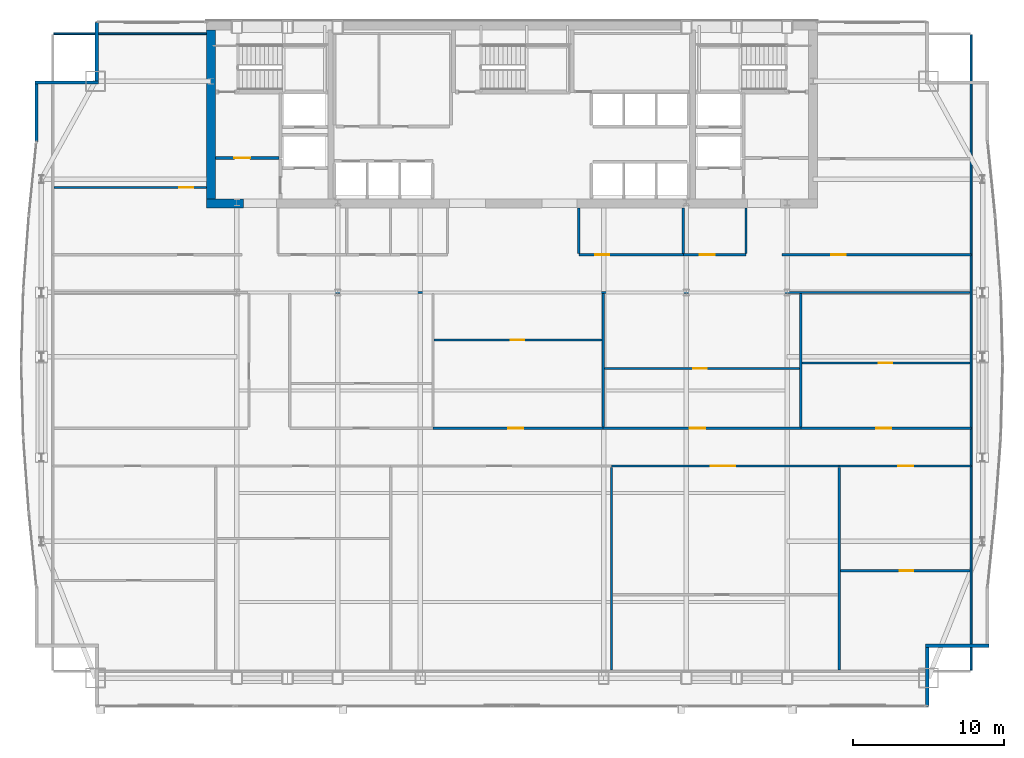
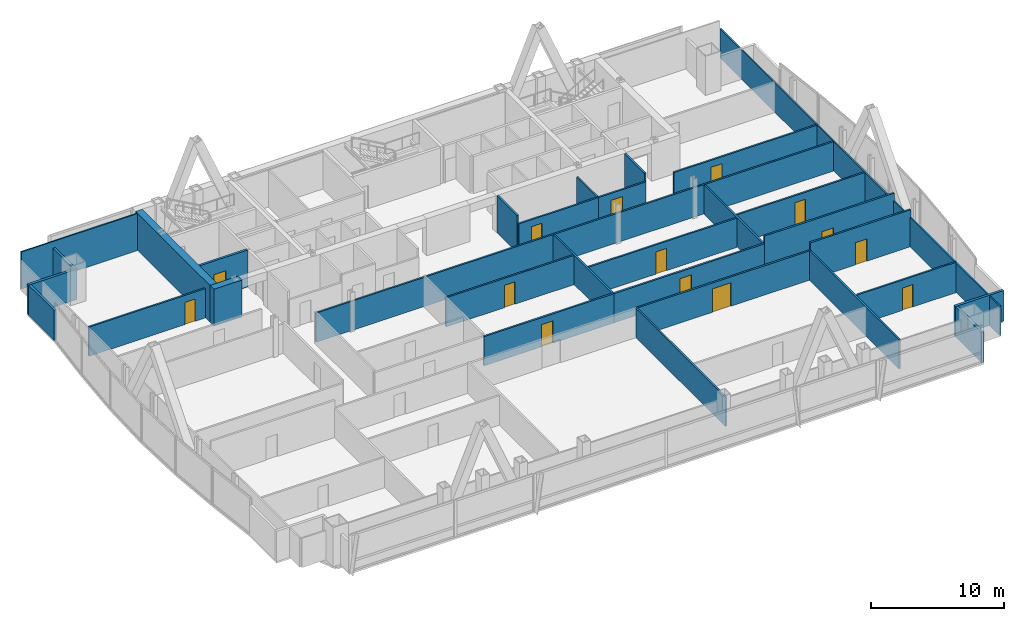
# One storey, part 25 of 29: 31 walls, 14 doors, 14 openings.
"""IFC4 building model written with IfcOpenShell, lengths in metres."""

from ifc_helpers import new_model, si_unit, direction, frame, frame_2d, origin, place, context, subcontext, project, spatial, rectangle, extrude, material, layer, layer_set, type_object, element, fill, save


model = new_model("IFC4")

# Units and contexts
model_context = context("Model", 3, precision=1e-05, world=origin(), true_north=direction((0.0, 1.0)))
body_context = subcontext(model_context, "Body", "Model", "MODEL_VIEW")
ifc_project = project(units=[si_unit("LENGTHUNIT", "METRE"), si_unit("AREAUNIT", "SQUARE_METRE"), si_unit("VOLUMEUNIT", "CUBIC_METRE"), si_unit("PLANEANGLEUNIT", "RADIAN"), si_unit("MASSUNIT", "GRAM", prefix="KILO")], contexts=[model_context])

# Site, building, storey
site_placement = place(None, origin())
site = spatial("IfcSite", under=ifc_project, at=site_placement, CompositionType="ELEMENT")
building_placement = place(site_placement, origin())
building = spatial("IfcBuilding", under=site, at=building_placement, Name="Khoronbel Lancet Exchange", CompositionType="ELEMENT")
storey_placement = place(building_placement, frame((0.0, 0.0, 180.60009765625)))
storey = spatial("IfcBuildingStorey", under=building, at=storey_placement, Name="L45", CompositionType="ELEMENT", Elevation=180.60009765625)

# Walls
ifc_material_1 = material(Name="Concrete C60/75", Category="concrete")
ifc_layer_1 = layer(ifc_material_1, 0.60009765625, Name="Concrete C60/75")
ifc_layer_set_1 = layer_set([ifc_layer_1], Name="Concrete C60/75")
wall_type_1 = type_object("IfcWallType", Name="WL-CW3", PredefinedType="SHEAR", material=ifc_layer_set_1)
wall_1_placement = place(storey_placement, frame((16.5, 41.89990234375, 0.0), z_axis=(0.0, 0.0, 1.0), x_axis=(0.0, 1.0, 0.0)))
element("IfcWall", 1, at=wall_1_placement, inside=storey, type_object=wall_type_1, Name="Level L45 rear core west shear wall", PredefinedType="SHEAR", context=body_context, shape_type="SweptSolid", body=[
    extrude(rectangle(XDim=11.2001953125, YDim=0.60009765625, at=frame_2d((5.60009765625, 0.0))), origin(), (0.0, 0.0, 1.0), 3.39990234375),
])
wall_2_placement = place(storey_placement, frame((18.64990234375, 41.60009765625, 0.0), z_axis=(0.0, 0.0, 1.0), x_axis=(-1.0, 0.0, 0.0)))
element("IfcWall", 2, at=wall_2_placement, inside=storey, type_object=wall_type_1, Name="Level L45 rear core south shear wall pier P1", PredefinedType="SHEAR", context=body_context, shape_type="SweptSolid", body=[
    extrude(rectangle(XDim=2.449951171875, YDim=0.60009765625, at=frame_2d((1.22509765625, 0.0))), origin(), (0.0, 0.0, 1.0), 3.39990234375),
])
ifc_material_2 = material(Name="Precast concrete C40/50", Category="concrete")
ifc_layer_2 = layer(ifc_material_2, 0.25, Name="Precast concrete C40/50")
ifc_layer_set_2 = layer_set([ifc_layer_2], Name="Precast concrete C40/50")
wall_type_2 = type_object("IfcWallType", Name="WL-EXT250", PredefinedType="SOLIDWALL", material=ifc_layer_set_2)
wall_3_placement = place(storey_placement, frame((4.93994140625, 45.67529296875, 0.0), z_axis=(0.0, 0.0, 1.0), x_axis=(0.0, 1.0, 0.0)))
element("IfcWall", 3, at=wall_3_placement, inside=storey, type_object=wall_type_2, Name="Level L45 notched-corner limestone pier 10", PredefinedType="SOLIDWALL", context=body_context, shape_type="SweptSolid", body=[
    extrude(rectangle(XDim=3.82470703125, YDim=0.219970703125, at=frame_2d((1.912353515625, 0.0))), origin(), (0.0, 0.0, 1.0), 2.789794921875),
])
wall_4_placement = place(storey_placement, frame((4.830078125, 49.610107421875, 0.0), z_axis=(0.0, 0.0, 1.0), x_axis=(1.0, 0.0, 0.0)))
element("IfcWall", 4, at=wall_4_placement, inside=storey, type_object=wall_type_2, Name="Level L45 notched-corner limestone pier 11", PredefinedType="SOLIDWALL", context=body_context, shape_type="SweptSolid", body=[
    extrude(rectangle(XDim=4.219970703125, YDim=0.219970703125, at=frame_2d((2.10986328125, 0.0))), origin(), (0.0, 0.0, 1.0), 2.789794921875),
])
wall_5_placement = place(storey_placement, frame((8.93994140625, 49.719970703125, 0.0), z_axis=(0.0, 0.0, 1.0), x_axis=(0.0, 1.0, 0.0)))
element("IfcWall", 5, at=wall_5_placement, inside=storey, type_object=wall_type_2, Name="Level L45 notched-corner limestone pier 12", PredefinedType="SOLIDWALL", context=body_context, shape_type="SweptSolid", body=[
    extrude(rectangle(XDim=3.909912109375, YDim=0.219970703125, at=frame_2d((1.955078125, 0.0))), origin(), (0.0, 0.0, 1.0), 2.789794921875),
])
wall_6_placement = place(storey_placement, frame((68.070068359375, 12.2900390625, 0.0), z_axis=(0.0, 0.0, 1.0), x_axis=(-1.0, 0.0, 0.0)))
element("IfcWall", 6, at=wall_6_placement, inside=storey, type_object=wall_type_2, Name="Level L45 notched-corner limestone pier 24", PredefinedType="SOLIDWALL", context=body_context, shape_type="SweptSolid", body=[
    extrude(rectangle(XDim=4.219970703125, YDim=0.219970703125, at=frame_2d((2.10986328125, 0.0))), origin(), (0.0, 0.0, 1.0), 2.789794921875),
])
wall_7_placement = place(storey_placement, frame((63.9599609375, 12.179931640625, 0.0), z_axis=(0.0, 0.0, 1.0), x_axis=(0.0, -1.0, 0.0)))
element("IfcWall", 7, at=wall_7_placement, inside=storey, type_object=wall_type_2, Name="Level L45 notched-corner limestone pier 25", PredefinedType="SOLIDWALL", context=body_context, shape_type="SweptSolid", body=[
    extrude(rectangle(XDim=3.909912109375, YDim=0.219970703125, at=frame_2d((1.955078125, 0.0))), origin(), (0.0, 0.0, 1.0), 2.789794921875),
])
ifc_material_3 = material(Name="Acoustic Metal-Stud & Mineral-Wool Gypsum Partition 120 mm", Category="gypsum")
ifc_layer_3 = layer(ifc_material_3, 0.1201171875, Name="Acoustic Metal-Stud & Mineral-Wool Gypsum Partition 120 mm")
ifc_layer_set_3 = layer_set([ifc_layer_3], Name="Acoustic Metal-Stud & Mineral-Wool Gypsum Partition 120 mm")
wall_type_3 = type_object("IfcWallType", Name="WL-PRT120", PredefinedType="PARTITIONING", material=ifc_layer_set_3)
wall_8_placement = place(storey_placement, frame((40.8798828125, 38.280029296875, 0.0), z_axis=(0.0, 0.0, 1.0), x_axis=(0.0, 1.0, 0.0)))
element("IfcWall", 8, at=wall_8_placement, inside=storey, type_object=wall_type_3, Name="Level L45 interior partition PW-NP-0", PredefinedType="PARTITIONING", context=body_context, shape_type="SweptSolid", body=[
    extrude(rectangle(XDim=3.02001953125, YDim=0.14990234375, at=frame_2d((1.510009765625, 0.0))), origin(), (0.0, 0.0, 1.0), 3.39990234375),
])
wall_9_placement = place(storey_placement, frame((47.800048828125, 38.280029296875, 0.0), z_axis=(0.0, 0.0, 1.0), x_axis=(0.0, 1.0, 0.0)))
element("IfcWall", 9, at=wall_9_placement, inside=storey, type_object=wall_type_3, Name="Level L45 interior partition PW-NP-M", PredefinedType="PARTITIONING", context=body_context, shape_type="SweptSolid", body=[
    extrude(rectangle(XDim=3.02001953125, YDim=0.14990234375, at=frame_2d((1.510009765625, 0.0))), origin(), (0.0, 0.0, 1.0), 2.68994140625),
])
wall_10_placement = place(storey_placement, frame((51.949951171875, 38.280029296875, 0.0), z_axis=(0.0, 0.0, 1.0), x_axis=(0.0, 1.0, 0.0)))
element("IfcWall", 10, at=wall_10_placement, inside=storey, type_object=wall_type_3, Name="Level L45 interior partition PW-NP-1", PredefinedType="PARTITIONING", context=body_context, shape_type="SweptSolid", body=[
    extrude(rectangle(XDim=3.02001953125, YDim=0.14990234375, at=frame_2d((1.510009765625, 0.0))), origin(), (0.0, 0.0, 1.0), 3.39990234375),
])

# Wall, opening, door
wall_11_placement = place(storey_placement, frame((6.094970703125, 42.64990234375, 0.0), z_axis=(0.0, 0.0, 1.0), x_axis=(1.0, 0.0, 0.0)))
wall_11 = element("IfcWall", 11, at=wall_11_placement, inside=storey, type_object=wall_type_3, Name="Level L45 interior partition PW-NW-H", PredefinedType="PARTITIONING", context=body_context, shape_type="SweptSolid", body=[
    extrude(rectangle(XDim=10.10498046875, YDim=0.14990234375, at=frame_2d((5.052490234375, 0.0))), origin(), (0.0, 0.0, 1.0), 2.68994140625),
])
opening_1_placement = place(wall_11_placement, frame((8.320068359375, 0.0, 0.0)))
opening_1 = element("IfcOpeningElement", 12, at=opening_1_placement, cuts=wall_11, Name="Opening D5", PredefinedType="OPENING", context=body_context, shape_type="SweptSolid", body=[
    extrude(rectangle(XDim=0.89990234375, YDim=2.050048828125, at=frame_2d((0.449951171875, 1.02490234375))), frame((0.0, 0.0849609375, 0.0), z_axis=(0.0, -1.0, 0.0), x_axis=(1.0, 0.0, 0.0)), (0.0, 0.0, 1.0), 0.169921875),
])
ifc_material_4 = material(Name="Acoustic Timber Pantry & Support Door", Category="wood")
door_type_1 = type_object("IfcDoorType", Name="DR-D5", OperationType="NOTDEFINED", PredefinedType="DOOR", material=ifc_material_4)
door_1_placement = place(opening_1_placement, origin())
door_1 = element("IfcDoor", 13, at=door_1_placement, inside=storey, type_object=door_type_1, Name="NW north room door L45-1", OperationType="SINGLE_SWING_RIGHT", OverallHeight=2.050048828125, OverallWidth=0.89990234375, PredefinedType="DOOR", context=body_context, shape_type="SweptSolid", body=[
    extrude(rectangle(XDim=0.89990234375, YDim=2.050048828125, at=frame_2d((0.449951171875, 1.02490234375))), frame((0.0, 0.02490234375, 0.0), z_axis=(0.0, -1.0, 0.0), x_axis=(1.0, 0.0, 0.0)), (0.0, 0.0, 1.0), 0.050048828125),
])
fill(opening_1, door_1)

wall_12_placement = place(storey_placement, frame((58.21142578125, 17.26171875, 0.0), z_axis=(0.0, 0.0, 1.0), x_axis=(1.0, 0.0, 0.0)))
wall_12 = element("IfcWall", 14, at=wall_12_placement, inside=storey, type_object=wall_type_3, Name="Level L45 interior partition PW-Z2S-H5", PredefinedType="PARTITIONING", context=body_context, shape_type="SweptSolid", body=[
    extrude(rectangle(XDim=8.593505859375, YDim=0.14990234375, at=frame_2d((4.296875, 0.0))), origin(), (0.0, 0.0, 1.0), 2.789794921875),
])
opening_2_placement = place(wall_12_placement, frame((3.932373046875, 0.0, 0.0)))
opening_2 = element("IfcOpeningElement", 15, at=opening_2_placement, cuts=wall_12, Name="Opening D5", PredefinedType="OPENING", context=body_context, shape_type="SweptSolid", body=[
    extrude(rectangle(XDim=0.89990234375, YDim=2.050048828125, at=frame_2d((0.449951171875, 1.02490234375))), frame((0.0, 0.0849609375, 0.0), z_axis=(0.0, -1.0, 0.0), x_axis=(1.0, 0.0, 0.0)), (0.0, 0.0, 1.0), 0.169921875),
])
door_2_placement = place(opening_2_placement, origin())
door_2 = element("IfcDoor", 16, at=door_2_placement, inside=storey, type_object=door_type_1, Name="Z2S inner door 5 L45-1", OperationType="SINGLE_SWING_RIGHT", OverallHeight=2.050048828125, OverallWidth=0.89990234375, PredefinedType="DOOR", context=body_context, shape_type="SweptSolid", body=[
    extrude(rectangle(XDim=0.89990234375, YDim=2.050048828125, at=frame_2d((0.449951171875, 1.02490234375))), frame((0.0, 0.02490234375, 0.0), z_axis=(0.0, -1.0, 0.0), x_axis=(1.0, 0.0, 0.0)), (0.0, 0.0, 1.0), 0.050048828125),
])
fill(opening_2, door_2)

wall_13_placement = place(storey_placement, frame((31.289306640625, 32.550048828125, 0.0), z_axis=(0.0, 0.0, 1.0), x_axis=(1.0, 0.0, 0.0)))
wall_13 = element("IfcWall", 17, at=wall_13_placement, inside=storey, type_object=wall_type_3, Name="Level L45 interior partition PW-Z2N-H2", PredefinedType="PARTITIONING", context=body_context, shape_type="SweptSolid", body=[
    extrude(rectangle(XDim=11.125, YDim=0.14990234375, at=frame_2d((5.5625, 0.0))), origin(), (0.0, 0.0, 1.0), 2.68994140625),
])
opening_3_placement = place(wall_13_placement, frame((5.078369140625, 0.0, 0.0)))
opening_3 = element("IfcOpeningElement", 18, at=opening_3_placement, cuts=wall_13, Name="Opening D5", PredefinedType="OPENING", context=body_context, shape_type="SweptSolid", body=[
    extrude(rectangle(XDim=0.89990234375, YDim=2.050048828125, at=frame_2d((0.449951171875, 1.02490234375))), frame((0.0, 0.0849609375, 0.0), z_axis=(0.0, -1.0, 0.0), x_axis=(1.0, 0.0, 0.0)), (0.0, 0.0, 1.0), 0.169921875),
])
door_3_placement = place(opening_3_placement, origin())
door_3 = element("IfcDoor", 19, at=door_3_placement, inside=storey, type_object=door_type_1, Name="Z2N inner door 2 L45-1", OperationType="SINGLE_SWING_LEFT", OverallHeight=2.050048828125, OverallWidth=0.89990234375, PredefinedType="DOOR", context=body_context, shape_type="SweptSolid", body=[
    extrude(rectangle(XDim=0.89990234375, YDim=2.050048828125, at=frame_2d((0.449951171875, 1.02490234375))), frame((0.0, 0.02490234375, 0.0), z_axis=(0.0, -1.0, 0.0), x_axis=(1.0, 0.0, 0.0)), (0.0, 0.0, 1.0), 0.050048828125),
])
fill(opening_3, door_3)

wall_14_placement = place(storey_placement, frame((42.574462890625, 30.659912109375, 0.0), z_axis=(0.0, 0.0, 1.0), x_axis=(1.0, 0.0, 0.0)))
wall_14 = element("IfcWall", 20, at=wall_14_placement, inside=storey, type_object=wall_type_3, Name="Level L45 interior partition PW-Z2N-H3", PredefinedType="PARTITIONING", context=body_context, shape_type="SweptSolid", body=[
    extrude(rectangle(XDim=12.930419921875, YDim=0.14990234375, at=frame_2d((6.46533203125, 0.0))), origin(), (0.0, 0.0, 1.0), 2.68994140625),
])
opening_4_placement = place(wall_14_placement, frame((5.890869140625, 0.0, 0.0)))
opening_4 = element("IfcOpeningElement", 21, at=opening_4_placement, cuts=wall_14, Name="Opening D5", PredefinedType="OPENING", context=body_context, shape_type="SweptSolid", body=[
    extrude(rectangle(XDim=0.89990234375, YDim=2.050048828125, at=frame_2d((0.449951171875, 1.02490234375))), frame((0.0, 0.0849609375, 0.0), z_axis=(0.0, -1.0, 0.0), x_axis=(1.0, 0.0, 0.0)), (0.0, 0.0, 1.0), 0.169921875),
])
door_4_placement = place(opening_4_placement, origin())
door_4 = element("IfcDoor", 22, at=door_4_placement, inside=storey, type_object=door_type_1, Name="Z2N inner door 3 L45-1", OperationType="SINGLE_SWING_LEFT", OverallHeight=2.050048828125, OverallWidth=0.89990234375, PredefinedType="DOOR", context=body_context, shape_type="SweptSolid", body=[
    extrude(rectangle(XDim=0.89990234375, YDim=2.050048828125, at=frame_2d((0.449951171875, 1.02490234375))), frame((0.0, 0.02490234375, 0.0), z_axis=(0.0, -1.0, 0.0), x_axis=(1.0, 0.0, 0.0)), (0.0, 0.0, 1.0), 0.050048828125),
])
fill(opening_4, door_4)

wall_15_placement = place(storey_placement, frame((55.6650390625, 31.02001953125, 0.0), z_axis=(0.0, 0.0, 1.0), x_axis=(1.0, 0.0, 0.0)))
wall_15 = element("IfcWall", 23, at=wall_15_placement, inside=storey, type_object=wall_type_3, Name="Level L45 interior partition PW-Z2N-H4", PredefinedType="PARTITIONING", context=body_context, shape_type="SweptSolid", body=[
    extrude(rectangle(XDim=11.139892578125, YDim=0.14990234375, at=frame_2d((5.56982421875, 0.0))), origin(), (0.0, 0.0, 1.0), 2.68994140625),
])
opening_5_placement = place(wall_15_placement, frame((5.078369140625, 0.0, 0.0)))
opening_5 = element("IfcOpeningElement", 24, at=opening_5_placement, cuts=wall_15, Name="Opening D5", PredefinedType="OPENING", context=body_context, shape_type="SweptSolid", body=[
    extrude(rectangle(XDim=0.89990234375, YDim=2.050048828125, at=frame_2d((0.449951171875, 1.02490234375))), frame((0.0, 0.0849609375, 0.0), z_axis=(0.0, -1.0, 0.0), x_axis=(1.0, 0.0, 0.0)), (0.0, 0.0, 1.0), 0.169921875),
])
door_5_placement = place(opening_5_placement, origin())
door_5 = element("IfcDoor", 25, at=door_5_placement, inside=storey, type_object=door_type_1, Name="Z2N inner door 4 L45-1", OperationType="SINGLE_SWING_LEFT", OverallHeight=2.050048828125, OverallWidth=0.89990234375, PredefinedType="DOOR", context=body_context, shape_type="SweptSolid", body=[
    extrude(rectangle(XDim=0.89990234375, YDim=2.050048828125, at=frame_2d((0.449951171875, 1.02490234375))), frame((0.0, 0.02490234375, 0.0), z_axis=(0.0, -1.0, 0.0), x_axis=(1.0, 0.0, 0.0)), (0.0, 0.0, 1.0), 0.050048828125),
])
fill(opening_5, door_5)

# Walls
wall_16_placement = place(storey_placement, frame((66.8701171875, 10.6650390625, 0.0), z_axis=(0.0, 0.0, 1.0), x_axis=(0.0, 1.0, 0.0)))
element("IfcWall", 26, at=wall_16_placement, inside=storey, type_object=wall_type_3, Name="Level L45 interior partition PW-LIN-E", PredefinedType="PARTITIONING", context=body_context, shape_type="SweptSolid", body=[
    extrude(rectangle(XDim=42.10986328125, YDim=0.1201171875, at=frame_2d((21.054931640625, 0.0))), origin(), (0.0, 0.0, 1.0), 2.68994140625),
])
wall_17_placement = place(storey_placement, frame((6.094970703125, 52.840087890625, 0.0), z_axis=(0.0, 0.0, 1.0), x_axis=(1.0, 0.0, 0.0)))
element("IfcWall", 27, at=wall_17_placement, inside=storey, type_object=wall_type_3, Name="Level L45 interior partition PW-LIN-NW", PredefinedType="PARTITIONING", context=body_context, shape_type="SweptSolid", body=[
    extrude(rectangle(XDim=10.10498046875, YDim=0.1201171875, at=frame_2d((5.052490234375, 0.0))), origin(), (0.0, 0.0, 1.0), 3.39990234375),
])

# Wall, opening, door
ifc_material_5 = material(Name="Fire-Rated Twin-Stud Acoustic Gypsum Partition 150 mm", Category="gypsum")
ifc_layer_4 = layer(ifc_material_5, 0.14990234375, Name="Fire-Rated Twin-Stud Acoustic Gypsum Partition 150 mm")
ifc_layer_set_4 = layer_set([ifc_layer_4], Name="Fire-Rated Twin-Stud Acoustic Gypsum Partition 150 mm")
wall_type_4 = type_object("IfcWallType", Name="WL-PRT150C", PredefinedType="PARTITIONING", material=ifc_layer_set_4)
wall_18_placement = place(storey_placement, frame((40.8798828125, 38.199951171875, 0.0), z_axis=(0.0, 0.0, 1.0), x_axis=(1.0, 0.0, 0.0)))
wall_18 = element("IfcWall", 28, at=wall_18_placement, inside=storey, type_object=wall_type_4, Name="Level L45 interior partition PW-NP-S1", PredefinedType="PARTITIONING", context=body_context, shape_type="SweptSolid", body=[
    extrude(rectangle(XDim=6.920166015625, YDim=0.14990234375, at=frame_2d((3.4599609375, 0.0))), origin(), (0.0, 0.0, 1.0), 2.68994140625),
])
opening_6_placement = place(wall_18_placement, frame((1.10009765625, 0.0, 0.0)))
opening_6 = element("IfcOpeningElement", 29, at=opening_6_placement, cuts=wall_18, Name="Opening D5", PredefinedType="OPENING", context=body_context, shape_type="SweptSolid", body=[
    extrude(rectangle(XDim=0.89990234375, YDim=2.050048828125, at=frame_2d((0.449951171875, 1.02490234375))), frame((0.0, 0.0849609375, 0.0), z_axis=(0.0, -1.0, 0.0), x_axis=(1.0, 0.0, 0.0)), (0.0, 0.0, 1.0), 0.169921875),
])
door_6_placement = place(opening_6_placement, origin())
door_6 = element("IfcDoor", 30, at=door_6_placement, inside=storey, type_object=door_type_1, Name="Floor refreshment pantry door L45-1", OperationType="SINGLE_SWING_RIGHT", OverallHeight=2.050048828125, OverallWidth=0.89990234375, PredefinedType="DOOR", context=body_context, shape_type="SweptSolid", body=[
    extrude(rectangle(XDim=0.89990234375, YDim=2.050048828125, at=frame_2d((0.449951171875, 1.02490234375))), frame((0.0, 0.02490234375, 0.0), z_axis=(0.0, -1.0, 0.0), x_axis=(1.0, 0.0, 0.0)), (0.0, 0.0, 1.0), 0.050048828125),
])
fill(opening_6, door_6)

wall_19_placement = place(storey_placement, frame((47.800048828125, 38.199951171875, 0.0), z_axis=(0.0, 0.0, 1.0), x_axis=(1.0, 0.0, 0.0)))
wall_19 = element("IfcWall", 31, at=wall_19_placement, inside=storey, type_object=wall_type_4, Name="Level L45 interior partition PW-NP-S2", PredefinedType="PARTITIONING", context=body_context, shape_type="SweptSolid", body=[
    extrude(rectangle(XDim=4.14990234375, YDim=0.14990234375, at=frame_2d((2.074951171875, 0.0))), origin(), (0.0, 0.0, 1.0), 2.68994140625),
])
opening_7_placement = place(wall_19_placement, frame((1.10009765625, 0.0, 0.0)))
opening_7 = element("IfcOpeningElement", 32, at=opening_7_placement, cuts=wall_19, Name="Opening D2", PredefinedType="OPENING", context=body_context, shape_type="SweptSolid", body=[
    extrude(rectangle(XDim=1.0, YDim=2.050048828125, at=frame_2d((0.5, 1.02490234375))), frame((0.0, 0.0849609375, 0.0), z_axis=(0.0, -1.0, 0.0), x_axis=(1.0, 0.0, 0.0)), (0.0, 0.0, 1.0), 0.169921875),
])
ifc_material_6 = material(Name="Acoustic Veneered Timber & Bronze Frame Door", Category="wood")
door_type_2 = type_object("IfcDoorType", Name="DR-D2", OperationType="NOTDEFINED", PredefinedType="DOOR", material=ifc_material_6)
door_7_placement = place(opening_7_placement, origin())
door_7 = element("IfcDoor", 33, at=door_7_placement, inside=storey, type_object=door_type_2, Name="Floor store door L45-1", OperationType="SINGLE_SWING_LEFT", OverallHeight=2.050048828125, OverallWidth=1.0, PredefinedType="DOOR", context=body_context, shape_type="SweptSolid", body=[
    extrude(rectangle(XDim=1.0, YDim=2.050048828125, at=frame_2d((0.5, 1.02490234375))), frame((0.0, 0.02490234375, 0.0), z_axis=(0.0, -1.0, 0.0), x_axis=(1.0, 0.0, 0.0)), (0.0, 0.0, 1.0), 0.050048828125),
])
fill(opening_7, door_7)

wall_20_placement = place(storey_placement, frame((54.35009765625, 38.199951171875, 0.0), z_axis=(0.0, 0.0, 1.0), x_axis=(1.0, 0.0, 0.0)))
wall_20 = element("IfcWall", 34, at=wall_20_placement, inside=storey, type_object=wall_type_4, Name="Level L45 interior partition PW-NE-S", PredefinedType="PARTITIONING", context=body_context, shape_type="SweptSolid", body=[
    extrude(rectangle(XDim=12.52001953125, YDim=0.14990234375, at=frame_2d((6.260009765625, 0.0))), origin(), (0.0, 0.0, 1.0), 2.68994140625),
])
opening_8_placement = place(wall_20_placement, frame((3.25, 0.0, 0.0)))
opening_8 = element("IfcOpeningElement", 35, at=opening_8_placement, cuts=wall_20, Name="Opening D1", PredefinedType="OPENING", context=body_context, shape_type="SweptSolid", body=[
    extrude(rectangle(XDim=0.949951171875, YDim=2.050048828125, at=frame_2d((0.47509765625, 1.02490234375))), frame((0.0, 0.0849609375, 0.0), z_axis=(0.0, -1.0, 0.0), x_axis=(1.0, 0.0, 0.0)), (0.0, 0.0, 1.0), 0.169921875),
])
door_type_3 = type_object("IfcDoorType", Name="DR-D1", OperationType="NOTDEFINED", PredefinedType="DOOR", material=ifc_material_6)
door_8_placement = place(opening_8_placement, origin())
door_8 = element("IfcDoor", 36, at=door_8_placement, inside=storey, type_object=door_type_3, Name="NE corner room door L45-1", OperationType="SINGLE_SWING_LEFT", OverallHeight=2.050048828125, OverallWidth=0.949951171875, PredefinedType="DOOR", context=body_context, shape_type="SweptSolid", body=[
    extrude(rectangle(XDim=0.949951171875, YDim=2.050048828125, at=frame_2d((0.47509765625, 1.02490234375))), frame((0.0, 0.02490234375, 0.0), z_axis=(0.0, -1.0, 0.0), x_axis=(1.0, 0.0, 0.0)), (0.0, 0.0, 1.0), 0.050048828125),
])
fill(opening_8, door_8)

# Walls
for number, where, z_axis, x_axis, name in (
    (37, (43.0419921875, 10.6650390625, 0.0), (0.0, 0.0, 1.0), (0.0, 1.0, 0.0), "Level L45 interior partition PW-Z2S-V3"),
    (38, (58.13134765625, 10.6650390625, 0.0), (0.0, 0.0, 1.0), (0.0, 1.0, 0.0), "Level L45 interior partition PW-Z2S-V4"),
):
    element("IfcWall", number, at=place(storey_placement, frame(where, z_axis=z_axis, x_axis=x_axis)), inside=storey, type_object=wall_type_4, Name=name, PredefinedType="PARTITIONING", context=body_context, shape_type="SweptSolid", body=[
        extrude(rectangle(XDim=13.449951171875, YDim=0.14990234375, at=frame_2d((6.72509765625, 0.0))), origin(), (0.0, 0.0, 1.0), 2.68994140625),
    ])
wall_21_placement = place(storey_placement, frame((21.81005859375, 35.699951171875, 0.0), z_axis=(0.0, 0.0, 1.0), x_axis=(1.0, 0.0, 0.0)))
element("IfcWall", 39, at=wall_21_placement, inside=storey, type_object=wall_type_4, Name="Level L45 interior partition PW-Z2-EN", PredefinedType="PARTITIONING", context=body_context, shape_type="SweptSolid", body=[
    extrude(rectangle(XDim=44.994873046875, YDim=0.14990234375, at=frame_2d((22.49755859375, 0.0))), origin(), (0.0, 0.0, 1.0), 2.68994140625),
])
for number, where, z_axis, x_axis, name in (
    (40, (42.494384765625, 26.784912109375, 0.0), (0.0, 0.0, 1.0), (0.0, 1.0, 0.0), "Level L45 interior partition PW-Z2N-V2"),
    (41, (55.5849609375, 26.784912109375, 0.0), (0.0, 0.0, 1.0), (0.0, 1.0, 0.0), "Level L45 interior partition PW-Z2N-V3"),
):
    element("IfcWall", number, at=place(storey_placement, frame(where, z_axis=z_axis, x_axis=x_axis)), inside=storey, type_object=wall_type_4, Name=name, PredefinedType="PARTITIONING", context=body_context, shape_type="SweptSolid", body=[
        extrude(rectangle(XDim=8.835205078125, YDim=0.14990234375, at=frame_2d((4.41748046875, 0.0))), origin(), (0.0, 0.0, 1.0), 2.68994140625),
    ])

# Wall, opening, door
ifc_material_7 = material(Name="Fire-Rated Twin-Stud Acoustic Gypsum Partition 160 mm", Category="gypsum")
ifc_layer_5 = layer(ifc_material_7, 0.159912109375, Name="Fire-Rated Twin-Stud Acoustic Gypsum Partition 160 mm")
ifc_layer_set_5 = layer_set([ifc_layer_5], Name="Fire-Rated Twin-Stud Acoustic Gypsum Partition 160 mm")
wall_type_5 = type_object("IfcWallType", Name="WL-PRT160C", PredefinedType="PARTITIONING", material=ifc_layer_set_5)
wall_22_placement = place(storey_placement, frame((43.0419921875, 24.199951171875, 0.0), z_axis=(0.0, 0.0, 1.0), x_axis=(1.0, 0.0, 0.0)))
wall_22 = element("IfcWall", 42, at=wall_22_placement, inside=storey, type_object=wall_type_5, Name="Level L45 interior partition PW-Z2S-COR4", PredefinedType="PARTITIONING", context=body_context, shape_type="SweptSolid", body=[
    extrude(rectangle(XDim=15.08935546875, YDim=0.159912109375, at=frame_2d((7.544677734375, 0.0))), origin(), (0.0, 0.0, 1.0), 2.68994140625),
])
opening_9_placement = place(wall_22_placement, frame((6.58740234375, 0.0, 0.0)))
opening_9 = element("IfcOpeningElement", 43, at=opening_9_placement, cuts=wall_22, Name="Opening D3", PredefinedType="OPENING", context=body_context, shape_type="SweptSolid", body=[
    extrude(rectangle(XDim=1.60009765625, YDim=2.14990234375, at=frame_2d((0.800048828125, 1.074951171875))), frame((0.0, 0.08984375, 0.0), z_axis=(0.0, -1.0, 0.0), x_axis=(1.0, 0.0, 0.0)), (0.0, 0.0, 1.0), 0.179931640625),
])
ifc_material_8 = material(Name="Glazed Bronze-Framed Double Suite Door", Category="aluminium")
door_type_4 = type_object("IfcDoorType", Name="DR-D3", OperationType="NOTDEFINED", PredefinedType="DOOR", material=ifc_material_8)
door_9_placement = place(opening_9_placement, origin())
door_9 = element("IfcDoor", 44, at=door_9_placement, inside=storey, type_object=door_type_4, Name="Z2S bay 4 door L45-1", OperationType="DOUBLE_DOOR_SINGLE_SWING", OverallHeight=2.14990234375, OverallWidth=1.60009765625, PredefinedType="DOOR", context=body_context, shape_type="SweptSolid", body=[
    extrude(rectangle(XDim=1.60009765625, YDim=2.14990234375, at=frame_2d((0.800048828125, 1.074951171875))), frame((0.0, 0.02490234375, 0.0), z_axis=(0.0, -1.0, 0.0), x_axis=(1.0, 0.0, 0.0)), (0.0, 0.0, 1.0), 0.050048828125),
])
fill(opening_9, door_9)

wall_23_placement = place(storey_placement, frame((58.13134765625, 24.199951171875, 0.0), z_axis=(0.0, 0.0, 1.0), x_axis=(1.0, 0.0, 0.0)))
wall_23 = element("IfcWall", 45, at=wall_23_placement, inside=storey, type_object=wall_type_5, Name="Level L45 interior partition PW-Z2S-COR5", PredefinedType="PARTITIONING", context=body_context, shape_type="SweptSolid", body=[
    extrude(rectangle(XDim=8.73876953125, YDim=0.159912109375, at=frame_2d((4.369384765625, 0.0))), origin(), (0.0, 0.0, 1.0), 3.39990234375),
])
opening_10_placement = place(wall_23_placement, frame((3.920166015625, 0.0, 0.0)))
opening_10 = element("IfcOpeningElement", 46, at=opening_10_placement, cuts=wall_23, Name="Opening D2", PredefinedType="OPENING", context=body_context, shape_type="SweptSolid", body=[
    extrude(rectangle(XDim=1.0, YDim=2.050048828125, at=frame_2d((0.5, 1.02490234375))), frame((0.0, 0.08984375, 0.0), z_axis=(0.0, -1.0, 0.0), x_axis=(1.0, 0.0, 0.0)), (0.0, 0.0, 1.0), 0.179931640625),
])
door_10_placement = place(opening_10_placement, origin())
door_10 = element("IfcDoor", 47, at=door_10_placement, inside=storey, type_object=door_type_2, Name="Z2S bay 5 door L45-1", OperationType="SINGLE_SWING_LEFT", OverallHeight=2.050048828125, OverallWidth=1.0, PredefinedType="DOOR", context=body_context, shape_type="SweptSolid", body=[
    extrude(rectangle(XDim=1.0, YDim=2.050048828125, at=frame_2d((0.5, 1.02490234375))), frame((0.0, 0.02490234375, 0.0), z_axis=(0.0, -1.0, 0.0), x_axis=(1.0, 0.0, 0.0)), (0.0, 0.0, 1.0), 0.050048828125),
])
fill(opening_10, door_10)

wall_24_placement = place(storey_placement, frame((31.20947265625, 26.699951171875, 0.0), z_axis=(0.0, 0.0, 1.0), x_axis=(1.0, 0.0, 0.0)))
wall_24 = element("IfcWall", 48, at=wall_24_placement, inside=storey, type_object=wall_type_5, Name="Level L45 interior partition PW-Z2N-COR2", PredefinedType="PARTITIONING", context=body_context, shape_type="SweptSolid", body=[
    extrude(rectangle(XDim=11.284912109375, YDim=0.159912109375, at=frame_2d((5.642578125, 0.0))), origin(), (0.0, 0.0, 1.0), 2.68994140625),
])
opening_11_placement = place(wall_24_placement, frame((4.98974609375, 0.0, 0.0)))
opening_11 = element("IfcOpeningElement", 49, at=opening_11_placement, cuts=wall_24, Name="Opening D2", PredefinedType="OPENING", context=body_context, shape_type="SweptSolid", body=[
    extrude(rectangle(XDim=1.0, YDim=2.050048828125, at=frame_2d((0.5, 1.02490234375))), frame((0.0, 0.08984375, 0.0), z_axis=(0.0, -1.0, 0.0), x_axis=(1.0, 0.0, 0.0)), (0.0, 0.0, 1.0), 0.179931640625),
])
door_11_placement = place(opening_11_placement, origin())
door_11 = element("IfcDoor", 50, at=door_11_placement, inside=storey, type_object=door_type_2, Name="Z2N bay 2 door L45-1", OperationType="SINGLE_SWING_RIGHT", OverallHeight=2.050048828125, OverallWidth=1.0, PredefinedType="DOOR", context=body_context, shape_type="SweptSolid", body=[
    extrude(rectangle(XDim=1.0, YDim=2.050048828125, at=frame_2d((0.5, 1.02490234375))), frame((0.0, 0.02490234375, 0.0), z_axis=(0.0, -1.0, 0.0), x_axis=(1.0, 0.0, 0.0)), (0.0, 0.0, 1.0), 0.050048828125),
])
fill(opening_11, door_11)

wall_25_placement = place(storey_placement, frame((42.494384765625, 26.699951171875, 0.0), z_axis=(0.0, 0.0, 1.0), x_axis=(1.0, 0.0, 0.0)))
wall_25 = element("IfcWall", 51, at=wall_25_placement, inside=storey, type_object=wall_type_5, Name="Level L45 interior partition PW-Z2N-COR3", PredefinedType="PARTITIONING", context=body_context, shape_type="SweptSolid", body=[
    extrude(rectangle(XDim=13.090576171875, YDim=0.159912109375, at=frame_2d((6.54541015625, 0.0))), origin(), (0.0, 0.0, 1.0), 2.68994140625),
])
opening_12_placement = place(wall_25_placement, frame((5.748046875, 0.0, 0.0)))
opening_12 = element("IfcOpeningElement", 52, at=opening_12_placement, cuts=wall_25, Name="Opening D2", PredefinedType="OPENING", context=body_context, shape_type="SweptSolid", body=[
    extrude(rectangle(XDim=1.0, YDim=2.050048828125, at=frame_2d((0.5, 1.02490234375))), frame((0.0, 0.08984375, 0.0), z_axis=(0.0, -1.0, 0.0), x_axis=(1.0, 0.0, 0.0)), (0.0, 0.0, 1.0), 0.179931640625),
])
door_12_placement = place(opening_12_placement, origin())
door_12 = element("IfcDoor", 53, at=door_12_placement, inside=storey, type_object=door_type_2, Name="Z2N bay 3 door L45-1", OperationType="SINGLE_SWING_RIGHT", OverallHeight=2.050048828125, OverallWidth=1.0, PredefinedType="DOOR", context=body_context, shape_type="SweptSolid", body=[
    extrude(rectangle(XDim=1.0, YDim=2.050048828125, at=frame_2d((0.5, 1.02490234375))), frame((0.0, 0.02490234375, 0.0), z_axis=(0.0, -1.0, 0.0), x_axis=(1.0, 0.0, 0.0)), (0.0, 0.0, 1.0), 0.050048828125),
])
fill(opening_12, door_12)

wall_26_placement = place(storey_placement, frame((55.5849609375, 26.699951171875, 0.0), z_axis=(0.0, 0.0, 1.0), x_axis=(1.0, 0.0, 0.0)))
wall_26 = element("IfcWall", 54, at=wall_26_placement, inside=storey, type_object=wall_type_5, Name="Level L45 interior partition PW-Z2N-COR4", PredefinedType="PARTITIONING", context=body_context, shape_type="SweptSolid", body=[
    extrude(rectangle(XDim=11.28515625, YDim=0.159912109375, at=frame_2d((5.642578125, 0.0))), origin(), (0.0, 0.0, 1.0), 3.39990234375),
])
opening_13_placement = place(wall_26_placement, frame((4.98974609375, 0.0, 0.0)))
opening_13 = element("IfcOpeningElement", 55, at=opening_13_placement, cuts=wall_26, Name="Opening D2", PredefinedType="OPENING", context=body_context, shape_type="SweptSolid", body=[
    extrude(rectangle(XDim=1.0, YDim=2.050048828125, at=frame_2d((0.5, 1.02490234375))), frame((0.0, 0.08984375, 0.0), z_axis=(0.0, -1.0, 0.0), x_axis=(1.0, 0.0, 0.0)), (0.0, 0.0, 1.0), 0.179931640625),
])
door_13_placement = place(opening_13_placement, origin())
door_13 = element("IfcDoor", 56, at=door_13_placement, inside=storey, type_object=door_type_2, Name="Z2N bay 4 door L45-1", OperationType="SINGLE_SWING_RIGHT", OverallHeight=2.050048828125, OverallWidth=1.0, PredefinedType="DOOR", context=body_context, shape_type="SweptSolid", body=[
    extrude(rectangle(XDim=1.0, YDim=2.050048828125, at=frame_2d((0.5, 1.02490234375))), frame((0.0, 0.02490234375, 0.0), z_axis=(0.0, -1.0, 0.0), x_axis=(1.0, 0.0, 0.0)), (0.0, 0.0, 1.0), 0.050048828125),
])
fill(opening_13, door_13)

ifc_material_9 = material(Name="Autoclaved Aerated Concrete Blockwork 200 mm", Category="masonry")
ifc_layer_6 = layer(ifc_material_9, 0.199951171875, Name="Autoclaved Aerated Concrete Blockwork 200 mm")
ifc_layer_set_6 = layer_set([ifc_layer_6], Name="Autoclaved Aerated Concrete Blockwork 200 mm")
wall_type_6 = type_object("IfcWallType", Name="WL-PRT200", PredefinedType="PARTITIONING", material=ifc_layer_set_6)
wall_27_placement = place(storey_placement, frame((16.800048828125, 44.60009765625, 0.0), z_axis=(0.0, 0.0, 1.0), x_axis=(1.0, 0.0, 0.0)))
wall_27 = element("IfcWall", 57, at=wall_27_placement, inside=storey, type_object=wall_type_6, Name="Level L45 interior partition CW-FFLW-S", PredefinedType="PARTITIONING", context=body_context, shape_type="SweptSolid", body=[
    extrude(rectangle(XDim=4.199951171875, YDim=0.199951171875, at=frame_2d((2.10009765625, 0.0))), origin(), (0.0, 0.0, 1.0), 3.39990234375),
])
opening_14_placement = place(wall_27_placement, frame((1.25, 0.0, 0.0)))
opening_14 = element("IfcOpeningElement", 58, at=opening_14_placement, cuts=wall_27, Name="Opening FD1", PredefinedType="OPENING", context=body_context, shape_type="SweptSolid", body=[
    extrude(rectangle(XDim=1.050048828125, YDim=2.14990234375, at=frame_2d((0.52490234375, 1.074951171875))), frame((0.0, 0.10986328125, 0.0), z_axis=(0.0, -1.0, 0.0), x_axis=(1.0, 0.0, 0.0)), (0.0, 0.0, 1.0), 0.219970703125),
])
ifc_material_10 = material(Name="Fire-Rated Painted Steel Door Assembly", Category="steel")
door_type_5 = type_object("IfcDoorType", Name="DR-FD1", OperationType="NOTDEFINED", PredefinedType="DOOR", material=ifc_material_10)
door_14_placement = place(opening_14_placement, origin())
door_14 = element("IfcDoor", 59, at=door_14_placement, inside=storey, type_object=door_type_5, Name="West firefighting lobby FD90S door L45-1", OperationType="SINGLE_SWING_RIGHT", OverallHeight=2.14990234375, OverallWidth=1.050048828125, PredefinedType="DOOR", context=body_context, shape_type="SweptSolid", body=[
    extrude(rectangle(XDim=1.050048828125, YDim=2.14990234375, at=frame_2d((0.52490234375, 1.074951171875))), frame((0.0, 0.02490234375, 0.0), z_axis=(0.0, -1.0, 0.0), x_axis=(1.0, 0.0, 0.0)), (0.0, 0.0, 1.0), 0.050048828125),
])
fill(opening_14, door_14)

save(model, "model.ifc")
